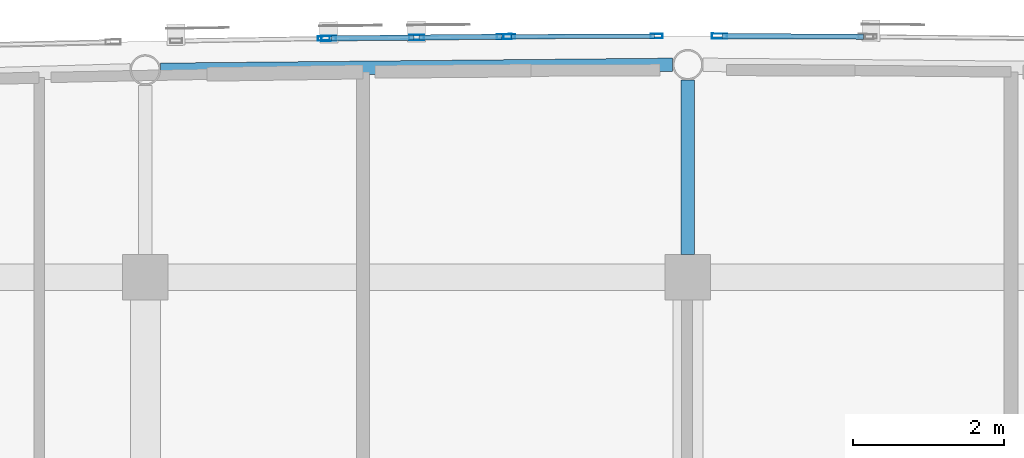
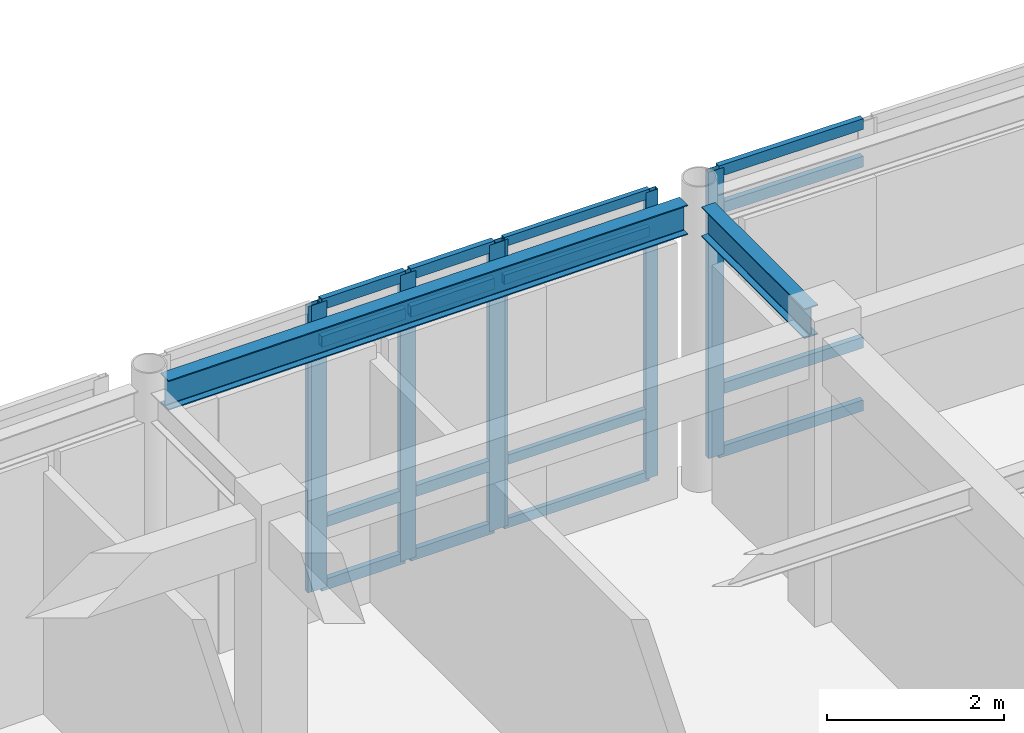
# One storey, part 47 of 113: 23 members, 2 beams, 4 elements without a shape of their own.
"""IFC4 building model written with IfcOpenShell, lengths in metres."""

from ifc_helpers import new_model, si_unit, direction, frame, origin, origin_2d, place, context, subcontext, project, spatial, hollow_rectangle, i_section, extrude, material, layer, layer_set, material_profile, profile_set, type_object, element, aggregate, save


model = new_model("IFC4")

# Units and contexts
model_context = context("Model", 3, precision=1e-05, world=origin(), true_north=direction((0.0, 1.0)))
body_context = subcontext(model_context, "Body", "Model", "MODEL_VIEW")
ifc_project = project(units=[si_unit("LENGTHUNIT", "METRE"), si_unit("AREAUNIT", "SQUARE_METRE"), si_unit("VOLUMEUNIT", "CUBIC_METRE"), si_unit("PLANEANGLEUNIT", "RADIAN"), si_unit("MASSUNIT", "GRAM", prefix="KILO")], contexts=[model_context])

# Site, building, storey
site_placement = place(None, origin())
site = spatial("IfcSite", under=ifc_project, at=site_placement, CompositionType="ELEMENT")
building_placement = place(site_placement, origin())
building = spatial("IfcBuilding", under=site, at=building_placement, Name="Carrowvane Square Congress Hotel", CompositionType="ELEMENT")
storey_placement = place(building_placement, frame((0.0, 0.0, 15.0)))
storey = spatial("IfcBuildingStorey", under=building, at=storey_placement, Name="L03", CompositionType="ELEMENT", Elevation=15.0)

# Beams
ifc_material_1 = material(Name="Steel S355", Category="steel")
ifc_material_profile_1 = material_profile(ifc_material_1, i_section(OverallWidth=0.1787109375, OverallDepth=0.409423828125, WebThickness=0.0087890625, FlangeThickness=0.014404296875, FilletRadius=0.01025390625, at=origin_2d()), Name="UKB 406x178x67")
ifc_profile_set_1 = profile_set([ifc_material_profile_1], Name="Steel S355")
beam_type = type_object("IfcBeamType", Name="BM-ST-UKB406", PredefinedType="BEAM", material=ifc_profile_set_1)
beam_1_placement = place(storey_placement, frame((91.003173828125, 116.15185546875, 3.7353515625), z_axis=(0.999952581816, 0.009738281154, 0.0), x_axis=(-0.009738281154, 0.999952581816, 0.0)))
element("IfcBeam", 1, at=beam_1_placement, inside=storey, type_object=beam_type, Name="L04 curved north spandrel", PredefinedType="BEAM", context=body_context, shape_type="SweptSolid", body=[
    extrude(i_section(OverallWidth=0.1787109375, OverallDepth=0.409423828125, WebThickness=0.0087890625, FlangeThickness=0.014404296875, FilletRadius=0.01025390625, at=origin_2d()), origin(), (0.0, 0.0, 1.0), 6.7939453125),
])
beam_2_placement = place(storey_placement, frame((98.0, 113.699951171875, 3.7353515625), z_axis=(0.0, 1.0, 0.0), x_axis=(-1.0, 0.0, 0.0)))
element("IfcBeam", 2, at=beam_2_placement, inside=storey, type_object=beam_type, Name="L04 radial north beam 13", PredefinedType="BEAM", context=body_context, shape_type="SweptSolid", body=[
    extrude(i_section(OverallWidth=0.1787109375, OverallDepth=0.409423828125, WebThickness=0.0087890625, FlangeThickness=0.014404296875, FilletRadius=0.01025390625, at=origin_2d()), origin(), (0.0, 0.0, 1.0), 2.31689453125),
])

# Curtain wall, member
ifc_material_2 = material(Name="Anodised aluminium", Category="aluminium")
ifc_layer_1 = layer(ifc_material_2, 0.23388671875)
ifc_layer_set_1 = layer_set([ifc_layer_1], Name="Anodised aluminium")
curtain_wall_type_1 = type_object("IfcCurtainWallType", Name="CW-SYS-7", PredefinedType="NOTDEFINED", material=ifc_layer_set_1)
curtain_wall_1_placement = place(storey_placement, origin())
curtain_wall_1 = element("IfcCurtainWall", 3, at=curtain_wall_1_placement, inside=storey, type_object=curtain_wall_type_1, Name="L03 unitised curtain wall 214", PredefinedType="NOTDEFINED")
ifc_material_3 = material(Name="Anodised aluminium", Category="aluminium")
ifc_material_profile_2 = material_profile(ifc_material_3, hollow_rectangle(XDim=0.06005859375, YDim=0.159912109375, WallThickness=0.00390625, at=origin_2d()), Name="CW-ML 60x160x4")
ifc_profile_set_2 = profile_set([ifc_material_profile_2], Name="Anodised aluminium")
member_type_1 = type_object("IfcMemberType", Name="CW-MUL-1", PredefinedType="MULLION", material=ifc_profile_set_2)
member_1_placement = place(storey_placement, frame((93.169921875, 116.568115234375, 0.0), z_axis=(0.0, 0.0, 1.0), x_axis=(-0.016215981364, 0.99986851233, 0.0)))
member_1 = element("IfcMember", 4, at=member_1_placement, type_object=member_type_1, Name="CW-7 mullion 2", PredefinedType="MULLION", context=body_context, shape_type="SweptSolid", body=[
    extrude(hollow_rectangle(XDim=0.06005859375, YDim=0.159912109375, WallThickness=0.00390625, at=origin_2d()), origin(), (0.0, 0.0, 1.0), 3.93994140625),
])
aggregate(curtain_wall_1, [member_1])

# Curtain wall, members
ifc_material_4 = material(Name="Anodised aluminium", Category="aluminium")
ifc_layer_2 = layer(ifc_material_4, 0.162109375)
ifc_layer_set_2 = layer_set([ifc_layer_2], Name="Anodised aluminium")
curtain_wall_type_2 = type_object("IfcCurtainWallType", Name="CW-SYS-1", PredefinedType="NOTDEFINED", material=ifc_layer_set_2)
curtain_wall_2_placement = place(storey_placement, origin())
curtain_wall_2 = element("IfcCurtainWall", 5, at=curtain_wall_2_placement, inside=storey, type_object=curtain_wall_type_2, Name="L03 unitised curtain wall 216", PredefinedType="NOTDEFINED")
member_2_placement = place(storey_placement, frame((95.6298828125, 116.59228515625, 0.0), z_axis=(0.0, 0.0, 1.0), x_axis=(-0.003270307911, 0.999994652529, 0.0)))
member_2 = element("IfcMember", 6, at=member_2_placement, type_object=member_type_1, Name="CW-1 mullion 1", PredefinedType="MULLION", context=body_context, shape_type="SweptSolid", body=[
    extrude(hollow_rectangle(XDim=0.06005859375, YDim=0.159912109375, WallThickness=0.00390625, at=origin_2d()), origin(), (0.0, 0.0, 1.0), 3.93994140625),
])
member_3_placement = place(storey_placement, frame((97.585205078125, 116.5986328125, 0.0), z_axis=(0.0, 0.0, 1.0), x_axis=(-0.003270307911, 0.999994652529, 0.0)))
member_3 = element("IfcMember", 7, at=member_3_placement, type_object=member_type_1, Name="CW-1 mullion 2", PredefinedType="MULLION", context=body_context, shape_type="SweptSolid", body=[
    extrude(hollow_rectangle(XDim=0.06005859375, YDim=0.159912109375, WallThickness=0.00390625, at=origin_2d()), origin(), (0.0, 0.0, 1.0), 3.93994140625),
])

ifc_material_5 = material(Name="Anodised aluminium", Category="aluminium")
ifc_layer_3 = layer(ifc_material_5, 0.24609375)
ifc_layer_set_3 = layer_set([ifc_layer_3], Name="Anodised aluminium")
curtain_wall_type_3 = type_object("IfcCurtainWallType", Name="CW-SYS-8", PredefinedType="NOTDEFINED", material=ifc_layer_set_3)
curtain_wall_3_placement = place(storey_placement, origin())
curtain_wall_3 = element("IfcCurtainWall", 8, at=curtain_wall_3_placement, inside=storey, type_object=curtain_wall_type_3, Name="L03 unitised curtain wall 215", PredefinedType="NOTDEFINED")
ifc_material_6 = material(Name="Anodised aluminium", Category="aluminium")
ifc_material_profile_3 = material_profile(ifc_material_6, hollow_rectangle(XDim=0.070068359375, YDim=0.199951171875, WallThickness=0.0048828125, at=origin_2d()), Name="CW-ML 70x200x5")
ifc_profile_set_3 = profile_set([ifc_material_profile_3], Name="Anodised aluminium")
member_type_2 = type_object("IfcMemberType", Name="CW-MUL-2", PredefinedType="MULLION", material=ifc_profile_set_3)
member_4_placement = place(storey_placement, frame((93.235107421875, 116.569091796875, 0.0), z_axis=(0.0, 0.0, 1.0), x_axis=(-0.009782905924, 0.999952146231, 0.0)))
member_4 = element("IfcMember", 9, at=member_4_placement, type_object=member_type_2, Name="CW-8 mullion 1", PredefinedType="MULLION", context=body_context, shape_type="SweptSolid", body=[
    extrude(hollow_rectangle(XDim=0.070068359375, YDim=0.199951171875, WallThickness=0.0048828125, at=origin_2d()), origin(), (0.0, 0.0, 1.0), 3.93994140625),
])
member_5_placement = place(storey_placement, frame((94.39990234375, 116.580322265625, 0.0), z_axis=(0.0, 0.0, 1.0), x_axis=(-0.009782905924, 0.999952146231, 0.0)))
member_5 = element("IfcMember", 10, at=member_5_placement, type_object=member_type_2, Name="CW-8 mullion 2", PredefinedType="MULLION", context=body_context, shape_type="SweptSolid", body=[
    extrude(hollow_rectangle(XDim=0.070068359375, YDim=0.199951171875, WallThickness=0.0048828125, at=origin_2d()), origin(), (0.0, 0.0, 1.0), 3.93994140625),
])
member_6_placement = place(storey_placement, frame((95.56494140625, 116.591796875, 0.0), z_axis=(0.0, 0.0, 1.0), x_axis=(-0.009782905924, 0.999952146231, 0.0)))
member_6 = element("IfcMember", 11, at=member_6_placement, type_object=member_type_2, Name="CW-8 mullion 3", PredefinedType="MULLION", context=body_context, shape_type="SweptSolid", body=[
    extrude(hollow_rectangle(XDim=0.070068359375, YDim=0.199951171875, WallThickness=0.0048828125, at=origin_2d()), origin(), (0.0, 0.0, 1.0), 3.93994140625),
])

# Curtain wall, member
ifc_material_7 = material(Name="Anodised aluminium", Category="aluminium")
ifc_layer_4 = layer(ifc_material_7, 0.174072265625)
ifc_layer_set_4 = layer_set([ifc_layer_4], Name="Anodised aluminium")
curtain_wall_type_4 = type_object("IfcCurtainWallType", Name="CW-SYS-2", PredefinedType="NOTDEFINED", material=ifc_layer_set_4)
curtain_wall_4_placement = place(storey_placement, origin())
curtain_wall_4 = element("IfcCurtainWall", 12, at=curtain_wall_4_placement, inside=storey, type_object=curtain_wall_type_4, Name="L03 unitised curtain wall 217", PredefinedType="NOTDEFINED")
member_7_placement = place(storey_placement, frame((98.419921875, 116.5986328125, 0.0), z_axis=(0.0, 0.0, 1.0), x_axis=(0.003270307911, 0.999994652529, 0.0)))
member_7 = element("IfcMember", 13, at=member_7_placement, type_object=member_type_2, Name="CW-2 mullion 1", PredefinedType="MULLION", context=body_context, shape_type="SweptSolid", body=[
    extrude(hollow_rectangle(XDim=0.070068359375, YDim=0.199951171875, WallThickness=0.0048828125, at=origin_2d()), origin(), (0.0, 0.0, 1.0), 3.93994140625),
])

# Member
ifc_material_8 = material(Name="Anodised aluminium", Category="aluminium")
ifc_material_profile_4 = material_profile(ifc_material_8, hollow_rectangle(XDim=0.06005859375, YDim=0.1298828125, WallThickness=0.00390625, at=origin_2d()), Name="CW-TR 60x130x4")
ifc_profile_set_4 = profile_set([ifc_material_profile_4], Name="Anodised aluminium")
member_type_3 = type_object("IfcMemberType", Name="CW-TRN-1", PredefinedType="USERDEFINED", material=ifc_profile_set_4)
member_8_placement = place(storey_placement, frame((95.659912109375, 116.59228515625, 0.030029296875), z_axis=(0.999994391408, 0.003349201878, 0.0), x_axis=(-0.003349201878, 0.999994391408, 0.0)))
member_8 = element("IfcMember", 14, at=member_8_placement, type_object=member_type_3, Name="CW-1 transom 1.1", ObjectType="TRANSOM", PredefinedType="USERDEFINED", context=body_context, shape_type="SweptSolid", body=[
    extrude(hollow_rectangle(XDim=0.06005859375, YDim=0.1298828125, WallThickness=0.00390625, at=origin_2d()), origin(), (0.0, 0.0, 1.0), 1.895263671875),
])

member_9_placement = place(storey_placement, frame((95.659912109375, 116.59228515625, 0.89990234375), z_axis=(0.999994391408, 0.003349201878, 0.0), x_axis=(-0.003349201878, 0.999994391408, 0.0)))
member_9 = element("IfcMember", 15, at=member_9_placement, type_object=member_type_3, Name="CW-1 transom 1.2", ObjectType="TRANSOM", PredefinedType="USERDEFINED", context=body_context, shape_type="SweptSolid", body=[
    extrude(hollow_rectangle(XDim=0.06005859375, YDim=0.1298828125, WallThickness=0.00390625, at=origin_2d()), origin(), (0.0, 0.0, 1.0), 1.895263671875),
])

member_10_placement = place(storey_placement, frame((95.659912109375, 116.59228515625, 3.389892578125), z_axis=(0.999994391408, 0.003349201878, 0.0), x_axis=(-0.003349201878, 0.999994391408, 0.0)))
member_10 = element("IfcMember", 16, at=member_10_placement, type_object=member_type_3, Name="CW-1 transom 1.3", ObjectType="TRANSOM", PredefinedType="USERDEFINED", context=body_context, shape_type="SweptSolid", body=[
    extrude(hollow_rectangle(XDim=0.06005859375, YDim=0.1298828125, WallThickness=0.00390625, at=origin_2d()), origin(), (0.0, 0.0, 1.0), 1.895263671875),
])

member_11_placement = place(storey_placement, frame((95.659912109375, 116.59228515625, 3.909912109375), z_axis=(0.999994391408, 0.003349201878, 0.0), x_axis=(-0.003349201878, 0.999994391408, 0.0)))
member_11 = element("IfcMember", 17, at=member_11_placement, type_object=member_type_3, Name="CW-1 transom 1.4", ObjectType="TRANSOM", PredefinedType="USERDEFINED", context=body_context, shape_type="SweptSolid", body=[
    extrude(hollow_rectangle(XDim=0.06005859375, YDim=0.1298828125, WallThickness=0.00390625, at=origin_2d()), origin(), (0.0, 0.0, 1.0), 1.895263671875),
])

aggregate(curtain_wall_2, [member_2, member_3, member_8, member_9, member_10, member_11])

ifc_material_9 = material(Name="Anodised aluminium", Category="aluminium")
ifc_material_profile_5 = material_profile(ifc_material_9, hollow_rectangle(XDim=0.070068359375, YDim=0.14990234375, WallThickness=0.0048828125, at=origin_2d()), Name="CW-TR 70x150x5")
ifc_profile_set_5 = profile_set([ifc_material_profile_5], Name="Anodised aluminium")
member_type_4 = type_object("IfcMemberType", Name="CW-TRN-2", PredefinedType="USERDEFINED", material=ifc_profile_set_5)
member_12_placement = place(storey_placement, frame((93.27001953125, 116.5693359375, 0.034912109375), z_axis=(0.999951880721, 0.009810007302, 0.0), x_axis=(-0.009810007302, 0.999951880721, 0.0)))
member_12 = element("IfcMember", 18, at=member_12_placement, type_object=member_type_4, Name="CW-8 transom 1.1", ObjectType="TRANSOM", PredefinedType="USERDEFINED", context=body_context, shape_type="SweptSolid", body=[
    extrude(hollow_rectangle(XDim=0.070068359375, YDim=0.14990234375, WallThickness=0.0048828125, at=origin_2d()), origin(), (0.0, 0.0, 1.0), 1.094970703125),
])

member_13_placement = place(storey_placement, frame((93.27001953125, 116.5693359375, 0.89990234375), z_axis=(0.999951880721, 0.009810007302, 0.0), x_axis=(-0.009810007302, 0.999951880721, 0.0)))
member_13 = element("IfcMember", 19, at=member_13_placement, type_object=member_type_4, Name="CW-8 transom 1.2", ObjectType="TRANSOM", PredefinedType="USERDEFINED", context=body_context, shape_type="SweptSolid", body=[
    extrude(hollow_rectangle(XDim=0.070068359375, YDim=0.14990234375, WallThickness=0.0048828125, at=origin_2d()), origin(), (0.0, 0.0, 1.0), 1.094970703125),
])

member_14_placement = place(storey_placement, frame((93.27001953125, 116.5693359375, 3.389892578125), z_axis=(0.999951880721, 0.009810007302, 0.0), x_axis=(-0.009810007302, 0.999951880721, 0.0)))
member_14 = element("IfcMember", 20, at=member_14_placement, type_object=member_type_4, Name="CW-8 transom 1.3", ObjectType="TRANSOM", PredefinedType="USERDEFINED", context=body_context, shape_type="SweptSolid", body=[
    extrude(hollow_rectangle(XDim=0.070068359375, YDim=0.14990234375, WallThickness=0.0048828125, at=origin_2d()), origin(), (0.0, 0.0, 1.0), 1.094970703125),
])

member_15_placement = place(storey_placement, frame((93.27001953125, 116.5693359375, 3.905029296875), z_axis=(0.999951880721, 0.009810007302, 0.0), x_axis=(-0.009810007302, 0.999951880721, 0.0)))
member_15 = element("IfcMember", 21, at=member_15_placement, type_object=member_type_4, Name="CW-8 transom 1.4", ObjectType="TRANSOM", PredefinedType="USERDEFINED", context=body_context, shape_type="SweptSolid", body=[
    extrude(hollow_rectangle(XDim=0.070068359375, YDim=0.14990234375, WallThickness=0.0048828125, at=origin_2d()), origin(), (0.0, 0.0, 1.0), 1.094970703125),
])

member_16_placement = place(storey_placement, frame((94.43505859375, 116.580810546875, 0.034912109375), z_axis=(0.999951880721, 0.009810007302, 0.0), x_axis=(-0.009810007302, 0.999951880721, 0.0)))
member_16 = element("IfcMember", 22, at=member_16_placement, type_object=member_type_4, Name="CW-8 transom 2.1", ObjectType="TRANSOM", PredefinedType="USERDEFINED", context=body_context, shape_type="SweptSolid", body=[
    extrude(hollow_rectangle(XDim=0.070068359375, YDim=0.14990234375, WallThickness=0.0048828125, at=origin_2d()), origin(), (0.0, 0.0, 1.0), 1.094970703125),
])

member_17_placement = place(storey_placement, frame((94.43505859375, 116.580810546875, 0.89990234375), z_axis=(0.999951880721, 0.009810007302, 0.0), x_axis=(-0.009810007302, 0.999951880721, 0.0)))
member_17 = element("IfcMember", 23, at=member_17_placement, type_object=member_type_4, Name="CW-8 transom 2.2", ObjectType="TRANSOM", PredefinedType="USERDEFINED", context=body_context, shape_type="SweptSolid", body=[
    extrude(hollow_rectangle(XDim=0.070068359375, YDim=0.14990234375, WallThickness=0.0048828125, at=origin_2d()), origin(), (0.0, 0.0, 1.0), 1.094970703125),
])

member_18_placement = place(storey_placement, frame((94.43505859375, 116.580810546875, 3.389892578125), z_axis=(0.999951880721, 0.009810007302, 0.0), x_axis=(-0.009810007302, 0.999951880721, 0.0)))
member_18 = element("IfcMember", 24, at=member_18_placement, type_object=member_type_4, Name="CW-8 transom 2.3", ObjectType="TRANSOM", PredefinedType="USERDEFINED", context=body_context, shape_type="SweptSolid", body=[
    extrude(hollow_rectangle(XDim=0.070068359375, YDim=0.14990234375, WallThickness=0.0048828125, at=origin_2d()), origin(), (0.0, 0.0, 1.0), 1.094970703125),
])

member_19_placement = place(storey_placement, frame((94.43505859375, 116.580810546875, 3.905029296875), z_axis=(0.999951880721, 0.009810007302, 0.0), x_axis=(-0.009810007302, 0.999951880721, 0.0)))
member_19 = element("IfcMember", 25, at=member_19_placement, type_object=member_type_4, Name="CW-8 transom 2.4", ObjectType="TRANSOM", PredefinedType="USERDEFINED", context=body_context, shape_type="SweptSolid", body=[
    extrude(hollow_rectangle(XDim=0.070068359375, YDim=0.14990234375, WallThickness=0.0048828125, at=origin_2d()), origin(), (0.0, 0.0, 1.0), 1.094970703125),
])

aggregate(curtain_wall_3, [member_4, member_5, member_6, member_12, member_13, member_14, member_15, member_16, member_17, member_18, member_19])

member_20_placement = place(storey_placement, frame((98.454833984375, 116.5986328125, 0.034912109375), z_axis=(0.999994271018, -0.003384956522, 0.0), x_axis=(0.003384956522, 0.999994271018, 0.0)))
member_20 = element("IfcMember", 26, at=member_20_placement, type_object=member_type_4, Name="CW-2 transom 1.1", ObjectType="TRANSOM", PredefinedType="USERDEFINED", context=body_context, shape_type="SweptSolid", body=[
    extrude(hollow_rectangle(XDim=0.070068359375, YDim=0.14990234375, WallThickness=0.0048828125, at=origin_2d()), origin(), (0.0, 0.0, 1.0), 1.875244140625),
])

member_21_placement = place(storey_placement, frame((98.454833984375, 116.5986328125, 0.89990234375), z_axis=(0.999994271018, -0.003384956522, 0.0), x_axis=(0.003384956522, 0.999994271018, 0.0)))
member_21 = element("IfcMember", 27, at=member_21_placement, type_object=member_type_4, Name="CW-2 transom 1.2", ObjectType="TRANSOM", PredefinedType="USERDEFINED", context=body_context, shape_type="SweptSolid", body=[
    extrude(hollow_rectangle(XDim=0.070068359375, YDim=0.14990234375, WallThickness=0.0048828125, at=origin_2d()), origin(), (0.0, 0.0, 1.0), 1.875244140625),
])

member_22_placement = place(storey_placement, frame((98.454833984375, 116.5986328125, 3.389892578125), z_axis=(0.999994271018, -0.003384956522, 0.0), x_axis=(0.003384956522, 0.999994271018, 0.0)))
member_22 = element("IfcMember", 28, at=member_22_placement, type_object=member_type_4, Name="CW-2 transom 1.3", ObjectType="TRANSOM", PredefinedType="USERDEFINED", context=body_context, shape_type="SweptSolid", body=[
    extrude(hollow_rectangle(XDim=0.070068359375, YDim=0.14990234375, WallThickness=0.0048828125, at=origin_2d()), origin(), (0.0, 0.0, 1.0), 1.875244140625),
])

member_23_placement = place(storey_placement, frame((98.454833984375, 116.5986328125, 3.905029296875), z_axis=(0.999994271018, -0.003384956522, 0.0), x_axis=(0.003384956522, 0.999994271018, 0.0)))
member_23 = element("IfcMember", 29, at=member_23_placement, type_object=member_type_4, Name="CW-2 transom 1.4", ObjectType="TRANSOM", PredefinedType="USERDEFINED", context=body_context, shape_type="SweptSolid", body=[
    extrude(hollow_rectangle(XDim=0.070068359375, YDim=0.14990234375, WallThickness=0.0048828125, at=origin_2d()), origin(), (0.0, 0.0, 1.0), 1.875244140625),
])

aggregate(curtain_wall_4, [member_7, member_20, member_21, member_22, member_23])

save(model, "model.ifc")
